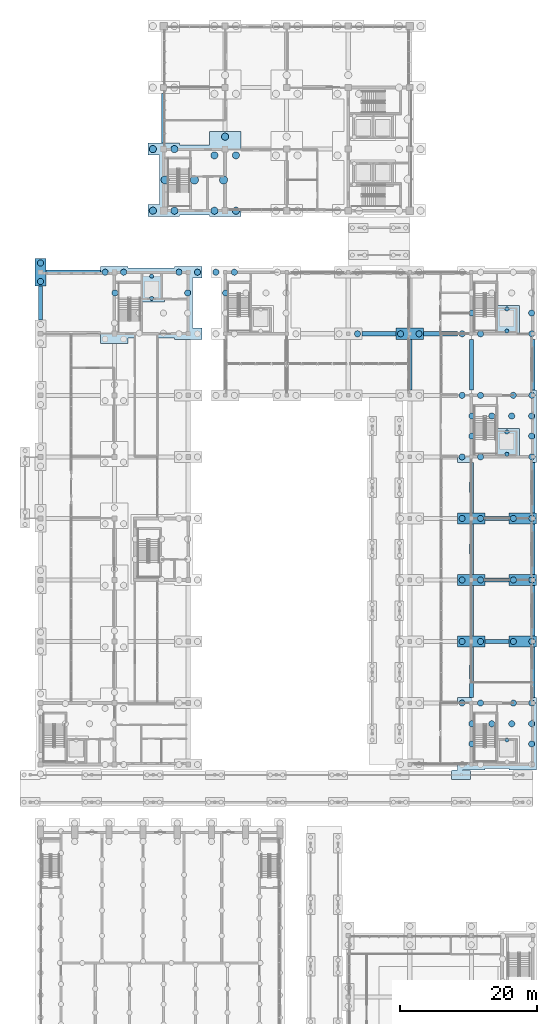
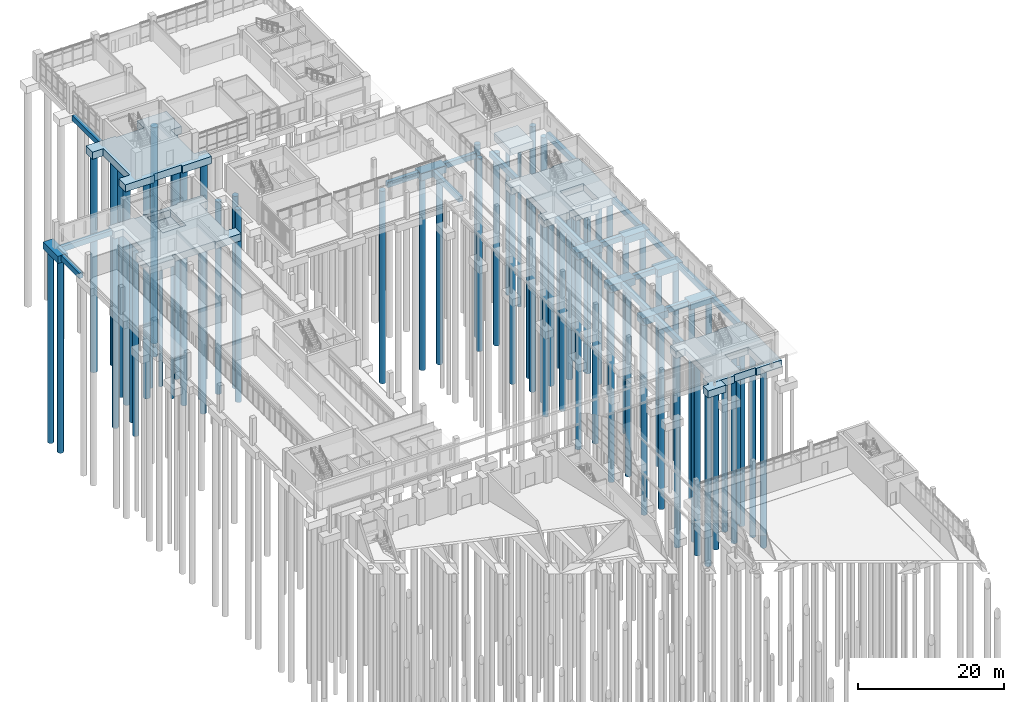
# One storey, part 6 of 106: 73 piles, 34 footings.
"""IFC4 building model written with IfcOpenShell, lengths in metres."""

from ifc_helpers import new_model, si_unit, direction, frame, origin, origin_2d, place, context, subcontext, project, spatial, polyline, circle, outline, extrude, material, material_profile, profile_set, type_object, element, save


model = new_model("IFC4")

# Units and contexts
model_context = context("Model", 3, precision=1e-05, world=origin(), true_north=direction((0.0, 1.0)))
body_context = subcontext(model_context, "Body", "Model", "MODEL_VIEW")
ifc_project = project(units=[si_unit("LENGTHUNIT", "METRE"), si_unit("AREAUNIT", "SQUARE_METRE"), si_unit("VOLUMEUNIT", "CUBIC_METRE"), si_unit("PLANEANGLEUNIT", "RADIAN"), si_unit("MASSUNIT", "GRAM", prefix="KILO")], contexts=[model_context])

# Site, building, storey
site_placement = place(None, origin())
site = spatial("IfcSite", under=ifc_project, at=site_placement, CompositionType="ELEMENT")
building_placement = place(site_placement, origin())
building = spatial("IfcBuilding", under=site, at=building_placement, Name="Merrow Basin Faculty of Sciences", CompositionType="ELEMENT")
storey_placement = place(building_placement, origin())
storey = spatial("IfcBuildingStorey", under=building, at=storey_placement, Name="L00", CompositionType="ELEMENT", Elevation=0.0)

# Piles
ifc_material_1 = material(Name="Concrete C40/50", Category="concrete")
ifc_material_profile_1 = material_profile(ifc_material_1, circle(Radius=0.52490234375, at=origin_2d()))
ifc_profile_set_1 = profile_set([ifc_material_profile_1], Name="Concrete C40/50")
pile_type_1 = type_object("IfcPileType", Name="Bored pile 1050 Concrete C40/50", PredefinedType="BORED", material=ifc_profile_set_1)
for number, where, z_axis, x_axis, name in (
    (1, (16.425048828125, 142.0, -1.39990234375), (0.0, 0.0, -1.0), (1.0, 0.0, 0.0), "BP 143"),
    (2, (16.425048828125, 151.0, -1.39990234375), (0.0, 0.0, -1.0), (1.0, 0.0, 0.0), "BP 144"),
    (3, (19.574951171875, 142.0, -1.39990234375), (0.0, 0.0, -1.0), (1.0, 0.0, 0.0), "BP 164"),
    (4, (19.574951171875, 151.0, -1.39990234375), (0.0, 0.0, -1.0), (1.0, 0.0, 0.0), "BP 165"),
    (5, (25.425048828125, 142.0, -1.39990234375), (0.0, 0.0, -1.0), (1.0, 0.0, 0.0), "BP 215"),
    (6, (25.425048828125, 150.091064453125, -1.39990234375), (0.0, 0.0, -1.0), (1.0, 0.0, 0.0), "BP 216"),
    (7, (27.0, 152.819091796875, -1.39990234375), (0.0, 0.0, -1.0), (1.0, 0.0, 0.0), "BP 229"),
    (8, (28.574951171875, 142.0, -1.39990234375), (0.0, 0.0, -1.0), (1.0, 0.0, 0.0), "BP 245"),
    (9, (28.574951171875, 150.091064453125, -1.39990234375), (0.0, 0.0, -1.0), (1.0, 0.0, 0.0), "BP 246"),
):
    element("IfcPile", number, at=place(storey_placement, frame(where, z_axis=z_axis, x_axis=x_axis)), inside=storey, type_object=pile_type_1, Name=name, PredefinedType="BORED", context=body_context, shape_type="SweptSolid", body=[
        extrude(circle(Radius=0.52490234375, at=origin_2d()), origin(), (0.0, 0.0, 1.0), 36.10009765625),
    ])
ifc_material_2 = material(Name="Concrete C40/50", Category="concrete")
ifc_material_profile_2 = material_profile(ifc_material_2, circle(Radius=0.60009765625, at=origin_2d()))
ifc_profile_set_2 = profile_set([ifc_material_profile_2], Name="Concrete C40/50")
pile_type_2 = type_object("IfcPileType", Name="Bored pile 1200 Concrete C40/50", PredefinedType="BORED", material=ifc_profile_set_2)
for number, where, z_axis, x_axis, name in (
    (10, (18.22998046875, 146.5, -1.39990234375), (0.0, 0.0, -1.0), (1.0, 0.0, 0.0), "BP 162"),
    (11, (22.5, 146.5, -1.39990234375), (0.0, 0.0, -1.0), (1.0, 0.0, 0.0), "BP 191"),
    (12, (26.77001953125, 146.5, -1.39990234375), (0.0, 0.0, -1.0), (1.0, 0.0, 0.0), "BP 228"),
):
    element("IfcPile", number, at=place(storey_placement, frame(where, z_axis=z_axis, x_axis=x_axis)), inside=storey, type_object=pile_type_2, Name=name, PredefinedType="BORED", context=body_context, shape_type="SweptSolid", body=[
        extrude(circle(Radius=0.60009765625, at=origin_2d()), origin(), (0.0, 0.0, 1.0), 38.10009765625),
    ])
ifc_material_3 = material(Name="Concrete C40/50", Category="concrete")
ifc_material_profile_3 = material_profile(ifc_material_3, circle(Radius=0.300048828125, at=origin_2d()))
ifc_profile_set_3 = profile_set([ifc_material_profile_3], Name="Concrete C40/50")
pile_type_3 = type_object("IfcPileType", Name="Bored pile 600 Concrete C40/50", PredefinedType="BORED", material=ifc_profile_set_3)
for number, where, z_axis, x_axis, name in (
    (13, (16.25, 129.179931640625, -2.60009765625), (0.0, 0.0, -1.0), (1.0, 0.0, 0.0), "BP pit 520"),
    (14, (16.25, 132.419921875, -2.60009765625), (0.0, 0.0, -1.0), (1.0, 0.0, 0.0), "BP pit 521"),
    (15, (68.199951171875, 64.6201171875, -2.60009765625), (0.0, 0.0, -1.0), (1.0, 0.0, 0.0), "BP pit 533"),
    (16, (68.199951171875, 106.3798828125, -2.60009765625), (0.0, 0.0, -1.0), (1.0, 0.0, 0.0), "BP pit 534"),
    (17, (68.199951171875, 109.6201171875, -2.60009765625), (0.0, 0.0, -1.0), (1.0, 0.0, 0.0), "BP pit 535"),
    (18, (68.199951171875, 124.3798828125, -2.60009765625), (0.0, 0.0, -1.0), (1.0, 0.0, 0.0), "BP pit 536"),
    (19, (68.199951171875, 127.6201171875, -2.60009765625), (0.0, 0.0, -1.0), (1.0, 0.0, 0.0), "BP pit 537"),
):
    element("IfcPile", number, at=place(storey_placement, frame(where, z_axis=z_axis, x_axis=x_axis)), inside=storey, type_object=pile_type_3, Name=name, PredefinedType="BORED", context=body_context, shape_type="SweptSolid", body=[
        extrude(circle(Radius=0.300048828125, at=origin_2d()), origin(), (0.0, 0.0, 1.0), 26.10009765625),
    ])
ifc_material_4 = material(Name="Concrete C40/50", Category="concrete")
ifc_material_profile_4 = material_profile(ifc_material_4, circle(Radius=0.449951171875, at=origin_2d()))
ifc_profile_set_4 = profile_set([ifc_material_profile_4], Name="Concrete C40/50")
pile_type_4 = type_object("IfcPileType", Name="Bored pile 900 Concrete C40/50", PredefinedType="BORED", material=ifc_profile_set_4)
for number, where, z_axis, x_axis, name in (
    (20, (0.0, 131.64990234375, -1.39990234375), (0.0, 0.0, -1.0), (1.0, 0.0, 0.0), "BP 039"),
    (21, (0.0, 134.35009765625, -1.39990234375), (0.0, 0.0, -1.0), (1.0, 0.0, 0.0), "BP 040"),
    (22, (9.449951171875, 133.0, -1.39990234375), (0.0, 0.0, -1.0), (1.0, 0.0, 0.0), "BP 092"),
    (23, (10.8798828125, 129.972900390625, -1.39990234375), (0.0, 0.0, -1.0), (1.0, 0.0, 0.0), "BP 109"),
    (24, (12.14990234375, 133.0, -1.39990234375), (0.0, 0.0, -1.0), (1.0, 0.0, 0.0), "BP 118"),
    (25, (20.25, 133.0, -1.39990234375), (0.0, 0.0, -1.0), (1.0, 0.0, 0.0), "BP 182"),
    (26, (21.52001953125, 129.972900390625, -1.39990234375), (0.0, 0.0, -1.0), (1.0, 0.0, 0.0), "BP 190"),
    (27, (22.949951171875, 133.0, -1.39990234375), (0.0, 0.0, -1.0), (1.0, 0.0, 0.0), "BP 207"),
    (28, (25.64990234375, 133.0, -1.39990234375), (0.0, 0.0, -1.0), (1.0, 0.0, 0.0), "BP 221"),
    (29, (27.080078125, 129.972900390625, -1.39990234375), (0.0, 0.0, -1.0), (1.0, 0.0, 0.0), "BP 232"),
    (30, (28.35009765625, 133.0, -1.39990234375), (0.0, 0.0, -1.0), (1.0, 0.0, 0.0), "BP 244"),
    (31, (46.35009765625, 124.0, -1.39990234375), (0.0, 0.0, -1.0), (1.0, 0.0, 0.0), "BP 356"),
    (32, (52.64990234375, 124.0, -1.39990234375), (0.0, 0.0, -1.0), (1.0, 0.0, 0.0), "BP 406"),
    (33, (55.35009765625, 124.0, -1.39990234375), (0.0, 0.0, -1.0), (1.0, 0.0, 0.0), "BP 430"),
    (34, (61.64990234375, 70.0, -1.39990234375), (0.0, 0.0, -1.0), (1.0, 0.0, 0.0), "BP 438"),
    (35, (61.64990234375, 79.0, -1.39990234375), (0.0, 0.0, -1.0), (1.0, 0.0, 0.0), "BP 439"),
    (36, (61.64990234375, 88.0, -1.39990234375), (0.0, 0.0, -1.0), (1.0, 0.0, 0.0), "BP 440"),
    (37, (61.64990234375, 97.0, -1.39990234375), (0.0, 0.0, -1.0), (1.0, 0.0, 0.0), "BP 441"),
    (38, (61.64990234375, 106.0, -1.39990234375), (0.0, 0.0, -1.0), (1.0, 0.0, 0.0), "BP 442"),
    (39, (61.64990234375, 115.0, -1.39990234375), (0.0, 0.0, -1.0), (1.0, 0.0, 0.0), "BP 443"),
    (40, (61.64990234375, 124.0, -1.39990234375), (0.0, 0.0, -1.0), (1.0, 0.0, 0.0), "BP 444"),
    (41, (63.080078125, 64.027099609375, -1.39990234375), (0.0, 0.0, -1.0), (1.0, 0.0, 0.0), "BP 454"),
    (42, (63.080078125, 66.972900390625, -1.39990234375), (0.0, 0.0, -1.0), (1.0, 0.0, 0.0), "BP 455"),
    (43, (63.080078125, 109.027099609375, -1.39990234375), (0.0, 0.0, -1.0), (1.0, 0.0, 0.0), "BP 456"),
    (44, (63.080078125, 111.972900390625, -1.39990234375), (0.0, 0.0, -1.0), (1.0, 0.0, 0.0), "BP 457"),
    (45, (63.080078125, 127.027099609375, -1.39990234375), (0.0, 0.0, -1.0), (1.0, 0.0, 0.0), "BP 458"),
    (46, (64.35009765625, 70.0, -1.39990234375), (0.0, 0.0, -1.0), (1.0, 0.0, 0.0), "BP 464"),
    (47, (64.35009765625, 79.0, -1.39990234375), (0.0, 0.0, -1.0), (1.0, 0.0, 0.0), "BP 465"),
    (48, (64.35009765625, 88.0, -1.39990234375), (0.0, 0.0, -1.0), (1.0, 0.0, 0.0), "BP 466"),
    (49, (64.35009765625, 97.0, -1.39990234375), (0.0, 0.0, -1.0), (1.0, 0.0, 0.0), "BP 467"),
    (50, (64.35009765625, 106.0, -1.39990234375), (0.0, 0.0, -1.0), (1.0, 0.0, 0.0), "BP 468"),
    (51, (64.35009765625, 115.0, -1.39990234375), (0.0, 0.0, -1.0), (1.0, 0.0, 0.0), "BP 469"),
    (52, (64.35009765625, 124.0, -1.39990234375), (0.0, 0.0, -1.0), (1.0, 0.0, 0.0), "BP 470"),
    (53, (65.992919921875, 66.972900390625, -1.39990234375), (0.0, 0.0, -1.0), (1.0, 0.0, 0.0), "BP 472"),
    (54, (65.992919921875, 111.972900390625, -1.39990234375), (0.0, 0.0, -1.0), (1.0, 0.0, 0.0), "BP 473"),
    (55, (68.906982421875, 66.972900390625, -1.39990234375), (0.0, 0.0, -1.0), (1.0, 0.0, 0.0), "BP 480"),
    (56, (68.906982421875, 111.972900390625, -1.39990234375), (0.0, 0.0, -1.0), (1.0, 0.0, 0.0), "BP 481"),
    (57, (69.139892578125, 70.0, -1.39990234375), (0.0, 0.0, -1.0), (1.0, 0.0, 0.0), "BP 483"),
    (58, (69.139892578125, 79.0, -1.39990234375), (0.0, 0.0, -1.0), (1.0, 0.0, 0.0), "BP 484"),
    (59, (69.139892578125, 88.0, -1.39990234375), (0.0, 0.0, -1.0), (1.0, 0.0, 0.0), "BP 485"),
    (60, (69.139892578125, 97.0, -1.39990234375), (0.0, 0.0, -1.0), (1.0, 0.0, 0.0), "BP 486"),
    (61, (69.139892578125, 115.0, -1.39990234375), (0.0, 0.0, -1.0), (1.0, 0.0, 0.0), "BP 487"),
    (62, (71.820068359375, 64.027099609375, -1.39990234375), (0.0, 0.0, -1.0), (1.0, 0.0, 0.0), "BP 492"),
    (63, (71.820068359375, 66.972900390625, -1.39990234375), (0.0, 0.0, -1.0), (1.0, 0.0, 0.0), "BP 493"),
    (64, (71.820068359375, 109.027099609375, -1.39990234375), (0.0, 0.0, -1.0), (1.0, 0.0, 0.0), "BP 494"),
    (65, (71.820068359375, 111.972900390625, -1.39990234375), (0.0, 0.0, -1.0), (1.0, 0.0, 0.0), "BP 495"),
    (66, (71.820068359375, 127.027099609375, -1.39990234375), (0.0, 0.0, -1.0), (1.0, 0.0, 0.0), "BP 496"),
    (67, (71.840087890625, 70.0, -1.39990234375), (0.0, 0.0, -1.0), (1.0, 0.0, 0.0), "BP 508"),
    (68, (71.840087890625, 79.0, -1.39990234375), (0.0, 0.0, -1.0), (1.0, 0.0, 0.0), "BP 509"),
    (69, (71.840087890625, 88.0, -1.39990234375), (0.0, 0.0, -1.0), (1.0, 0.0, 0.0), "BP 510"),
    (70, (71.840087890625, 97.0, -1.39990234375), (0.0, 0.0, -1.0), (1.0, 0.0, 0.0), "BP 511"),
    (71, (71.840087890625, 106.0, -1.39990234375), (0.0, 0.0, -1.0), (1.0, 0.0, 0.0), "BP 512"),
    (72, (71.840087890625, 115.0, -1.39990234375), (0.0, 0.0, -1.0), (1.0, 0.0, 0.0), "BP 513"),
    (73, (71.840087890625, 124.0, -1.39990234375), (0.0, 0.0, -1.0), (1.0, 0.0, 0.0), "BP 514"),
):
    element("IfcPile", number, at=place(storey_placement, frame(where, z_axis=z_axis, x_axis=x_axis)), inside=storey, type_object=pile_type_4, Name=name, PredefinedType="BORED", context=body_context, shape_type="SweptSolid", body=[
        extrude(circle(Radius=0.449951171875, at=origin_2d()), origin(), (0.0, 0.0, 1.0), 32.10009765625),
    ])

# Footings
ifc_material_5 = material(Name="Concrete C40/50", Category="concrete")
footing_type_1 = type_object("IfcFootingType", Name="Ground beam 600x900 Concrete C40/50", PredefinedType="FOOTING_BEAM", material=ifc_material_5)
footing_1_placement = place(storey_placement, frame((0.0, 0.0, -1.199951171875)))
element("IfcFooting", 74, at=footing_1_placement, inside=storey, type_object=footing_type_1, Name="GB 012", PredefinedType="FOOTING_BEAM", context=body_context, shape_type="SweptSolid", body=[
    extrude(outline(polyline([(0.81005859375, 132.699951171875), (8.7900390625, 132.699951171875), (8.7900390625, 133.300048828125), (0.81005859375, 133.300048828125), (0.81005859375, 132.699951171875)])), origin(), (0.0, 0.0, 1.0), 0.89990234375),
])
footing_2_placement = place(storey_placement, frame((0.0, 0.0, -1.199951171875)))
element("IfcFooting", 75, at=footing_2_placement, inside=storey, type_object=footing_type_1, Name="GB 019", PredefinedType="FOOTING_BEAM", context=body_context, shape_type="SweptSolid", body=[
    extrude(outline(polyline([(-0.300048828125, 126.010009765625), (0.300048828125, 126.010009765625), (0.300048828125, 130.989990234375), (-0.300048828125, 130.989990234375), (-0.300048828125, 126.010009765625)])), origin(), (0.0, 0.0, 1.0), 0.89990234375),
])
footing_3_placement = place(storey_placement, frame((0.0, 0.0, -1.199951171875)))
element("IfcFooting", 76, at=footing_3_placement, inside=storey, type_object=footing_type_1, Name="GB 035", PredefinedType="FOOTING_BEAM", context=body_context, shape_type="SweptSolid", body=[
    extrude(outline(polyline([(65.010009765625, 78.699951171875), (68.47998046875, 78.699951171875), (68.47998046875, 79.300048828125), (65.010009765625, 79.300048828125), (65.010009765625, 78.699951171875)])), origin(), (0.0, 0.0, 1.0), 0.89990234375),
])
footing_4_placement = place(storey_placement, frame((0.0, 0.0, -1.199951171875)))
element("IfcFooting", 77, at=footing_4_placement, inside=storey, type_object=footing_type_1, Name="GB 037", PredefinedType="FOOTING_BEAM", context=body_context, shape_type="SweptSolid", body=[
    extrude(outline(polyline([(65.010009765625, 87.699951171875), (68.47998046875, 87.699951171875), (68.47998046875, 88.300048828125), (65.010009765625, 88.300048828125), (65.010009765625, 87.699951171875)])), origin(), (0.0, 0.0, 1.0), 0.89990234375),
])
footing_5_placement = place(storey_placement, frame((0.0, 0.0, -1.199951171875)))
element("IfcFooting", 78, at=footing_5_placement, inside=storey, type_object=footing_type_1, Name="GB 039", PredefinedType="FOOTING_BEAM", context=body_context, shape_type="SweptSolid", body=[
    extrude(outline(polyline([(65.010009765625, 96.699951171875), (68.47998046875, 96.699951171875), (68.47998046875, 97.300048828125), (65.010009765625, 97.300048828125), (65.010009765625, 96.699951171875)])), origin(), (0.0, 0.0, 1.0), 0.89990234375),
])
footing_6_placement = place(storey_placement, frame((0.0, 0.0, -1.199951171875)))
element("IfcFooting", 79, at=footing_6_placement, inside=storey, type_object=footing_type_1, Name="GB 046", PredefinedType="FOOTING_BEAM", context=body_context, shape_type="SweptSolid", body=[
    extrude(outline(polyline([(47.010009765625, 123.699951171875), (51.989990234375, 123.699951171875), (51.989990234375, 124.300048828125), (47.010009765625, 124.300048828125), (47.010009765625, 123.699951171875)])), origin(), (0.0, 0.0, 1.0), 0.89990234375),
])
footing_7_placement = place(storey_placement, frame((0.0, 0.0, -1.199951171875)))
element("IfcFooting", 80, at=footing_7_placement, inside=storey, type_object=footing_type_1, Name="GB 047", PredefinedType="FOOTING_BEAM", context=body_context, shape_type="SweptSolid", body=[
    extrude(outline(polyline([(56.010009765625, 123.699951171875), (60.989990234375, 123.699951171875), (60.989990234375, 124.300048828125), (56.010009765625, 124.300048828125), (56.010009765625, 123.699951171875)])), origin(), (0.0, 0.0, 1.0), 0.89990234375),
])
footing_8_placement = place(storey_placement, frame((0.0, 0.0, -1.199951171875)))
element("IfcFooting", 81, at=footing_8_placement, inside=storey, type_object=footing_type_1, Name="GB 061", PredefinedType="FOOTING_BEAM", context=body_context, shape_type="SweptSolid", body=[
    extrude(outline(polyline([(53.699951171875, 115.81005859375), (54.300048828125, 115.81005859375), (54.300048828125, 123.18994140625), (53.699951171875, 123.18994140625), (53.699951171875, 115.81005859375)])), origin(), (0.0, 0.0, 1.0), 0.89990234375),
])
footing_9_placement = place(storey_placement, frame((0.0, 0.0, -1.199951171875)))
element("IfcFooting", 82, at=footing_9_placement, inside=storey, type_object=footing_type_1, Name="GB 063", PredefinedType="FOOTING_BEAM", context=body_context, shape_type="SweptSolid", body=[
    extrude(outline(polyline([(62.699951171875, 70.81005859375), (63.300048828125, 70.81005859375), (63.300048828125, 78.18994140625), (62.699951171875, 78.18994140625), (62.699951171875, 70.81005859375)])), origin(), (0.0, 0.0, 1.0), 0.89990234375),
])
footing_10_placement = place(storey_placement, frame((0.0, 0.0, -1.199951171875)))
element("IfcFooting", 83, at=footing_10_placement, inside=storey, type_object=footing_type_1, Name="GB 064", PredefinedType="FOOTING_BEAM", context=body_context, shape_type="SweptSolid", body=[
    extrude(outline(polyline([(62.699951171875, 79.81005859375), (63.300048828125, 79.81005859375), (63.300048828125, 87.18994140625), (62.699951171875, 87.18994140625), (62.699951171875, 79.81005859375)])), origin(), (0.0, 0.0, 1.0), 0.89990234375),
])
footing_11_placement = place(storey_placement, frame((0.0, 0.0, -1.199951171875)))
element("IfcFooting", 84, at=footing_11_placement, inside=storey, type_object=footing_type_1, Name="GB 065", PredefinedType="FOOTING_BEAM", context=body_context, shape_type="SweptSolid", body=[
    extrude(outline(polyline([(62.699951171875, 88.81005859375), (63.300048828125, 88.81005859375), (63.300048828125, 96.18994140625), (62.699951171875, 96.18994140625), (62.699951171875, 88.81005859375)])), origin(), (0.0, 0.0, 1.0), 0.89990234375),
])
footing_12_placement = place(storey_placement, frame((0.0, 0.0, -1.199951171875)))
element("IfcFooting", 85, at=footing_12_placement, inside=storey, type_object=footing_type_1, Name="GB 066", PredefinedType="FOOTING_BEAM", context=body_context, shape_type="SweptSolid", body=[
    extrude(outline(polyline([(62.699951171875, 97.81005859375), (63.300048828125, 97.81005859375), (63.300048828125, 105.18994140625), (62.699951171875, 105.18994140625), (62.699951171875, 97.81005859375)])), origin(), (0.0, 0.0, 1.0), 0.89990234375),
])
footing_13_placement = place(storey_placement, frame((0.0, 0.0, -1.199951171875)))
element("IfcFooting", 86, at=footing_13_placement, inside=storey, type_object=footing_type_1, Name="GB 067", PredefinedType="FOOTING_BEAM", context=body_context, shape_type="SweptSolid", body=[
    extrude(outline(polyline([(62.699951171875, 115.81005859375), (63.300048828125, 115.81005859375), (63.300048828125, 123.18994140625), (62.699951171875, 123.18994140625), (62.699951171875, 115.81005859375)])), origin(), (0.0, 0.0, 1.0), 0.89990234375),
])
footing_14_placement = place(storey_placement, frame((0.0, 0.0, -1.199951171875)))
element("IfcFooting", 87, at=footing_14_placement, inside=storey, type_object=footing_type_1, Name="GB 068", PredefinedType="FOOTING_BEAM", context=body_context, shape_type="SweptSolid", body=[
    extrude(outline(polyline([(71.699951171875, 70.81005859375), (72.300048828125, 70.81005859375), (72.300048828125, 78.18994140625), (71.699951171875, 78.18994140625), (71.699951171875, 70.81005859375)])), origin(), (0.0, 0.0, 1.0), 0.89990234375),
])
footing_15_placement = place(storey_placement, frame((0.0, 0.0, -1.199951171875)))
element("IfcFooting", 88, at=footing_15_placement, inside=storey, type_object=footing_type_1, Name="GB 069", PredefinedType="FOOTING_BEAM", context=body_context, shape_type="SweptSolid", body=[
    extrude(outline(polyline([(71.699951171875, 79.81005859375), (72.300048828125, 79.81005859375), (72.300048828125, 87.18994140625), (71.699951171875, 87.18994140625), (71.699951171875, 79.81005859375)])), origin(), (0.0, 0.0, 1.0), 0.89990234375),
])
footing_16_placement = place(storey_placement, frame((0.0, 0.0, -1.199951171875)))
element("IfcFooting", 89, at=footing_16_placement, inside=storey, type_object=footing_type_1, Name="GB 070", PredefinedType="FOOTING_BEAM", context=body_context, shape_type="SweptSolid", body=[
    extrude(outline(polyline([(71.699951171875, 88.81005859375), (72.300048828125, 88.81005859375), (72.300048828125, 96.18994140625), (71.699951171875, 96.18994140625), (71.699951171875, 88.81005859375)])), origin(), (0.0, 0.0, 1.0), 0.89990234375),
])
footing_17_placement = place(storey_placement, frame((0.0, 0.0, -1.199951171875)))
element("IfcFooting", 90, at=footing_17_placement, inside=storey, type_object=footing_type_1, Name="GB 071", PredefinedType="FOOTING_BEAM", context=body_context, shape_type="SweptSolid", body=[
    extrude(outline(polyline([(71.699951171875, 97.81005859375), (72.300048828125, 97.81005859375), (72.300048828125, 105.18994140625), (71.699951171875, 105.18994140625), (71.699951171875, 97.81005859375)])), origin(), (0.0, 0.0, 1.0), 0.89990234375),
])
footing_18_placement = place(storey_placement, frame((0.0, 0.0, -1.199951171875)))
element("IfcFooting", 91, at=footing_18_placement, inside=storey, type_object=footing_type_1, Name="GB 072", PredefinedType="FOOTING_BEAM", context=body_context, shape_type="SweptSolid", body=[
    extrude(outline(polyline([(71.699951171875, 115.81005859375), (72.300048828125, 115.81005859375), (72.300048828125, 123.18994140625), (71.699951171875, 123.18994140625), (71.699951171875, 115.81005859375)])), origin(), (0.0, 0.0, 1.0), 0.89990234375),
])
footing_19_placement = place(storey_placement, frame((0.0, 0.0, -1.199951171875)))
element("IfcFooting", 92, at=footing_19_placement, inside=storey, type_object=footing_type_1, Name="GB 113", PredefinedType="FOOTING_BEAM", context=body_context, shape_type="SweptSolid", body=[
    extrude(outline(polyline([(17.699951171875, 151.885009765625), (18.300048828125, 151.885009765625), (18.300048828125, 159.114990234375), (17.699951171875, 159.114990234375), (17.699951171875, 151.885009765625)])), origin(), (0.0, 0.0, 1.0), 0.89990234375),
])
ifc_material_6 = material(Name="Concrete C40/50", Category="concrete")
footing_type_2 = type_object("IfcFootingType", Name="Lift pit raft 3700x4300 Concrete C40/50", PredefinedType="PILE_CAP", material=ifc_material_6)
footing_20_placement = place(storey_placement, frame((0.0, 0.0, -2.699951171875)))
element("IfcFooting", 93, at=footing_20_placement, inside=storey, type_object=footing_type_2, Name="Lift pit raft 3", PredefinedType="PILE_CAP", context=body_context, shape_type="SweptSolid", body=[
    extrude(outline(polyline([(18.10009765625, 128.64990234375), (14.39990234375, 128.64990234375), (14.39990234375, 132.949951171875), (18.10009765625, 132.949951171875), (18.10009765625, 128.64990234375)])), origin(), (0.0, 0.0, 1.0), 1.199951171875),
])
footing_21_placement = place(storey_placement, frame((0.0, 0.0, -2.699951171875)))
element("IfcFooting", 94, at=footing_21_placement, inside=storey, type_object=footing_type_2, Name="Lift pit raft 10", PredefinedType="PILE_CAP", context=body_context, shape_type="SweptSolid", body=[
    extrude(outline(polyline([(70.050048828125, 105.85009765625), (66.35009765625, 105.85009765625), (66.35009765625, 110.14990234375), (70.050048828125, 110.14990234375), (70.050048828125, 105.85009765625)])), origin(), (0.0, 0.0, 1.0), 1.199951171875),
])
footing_22_placement = place(storey_placement, frame((0.0, 0.0, -2.699951171875)))
element("IfcFooting", 95, at=footing_22_placement, inside=storey, type_object=footing_type_2, Name="Lift pit raft 11", PredefinedType="PILE_CAP", context=body_context, shape_type="SweptSolid", body=[
    extrude(outline(polyline([(70.050048828125, 123.85009765625), (66.35009765625, 123.85009765625), (66.35009765625, 128.14990234375), (70.050048828125, 128.14990234375), (70.050048828125, 123.85009765625)])), origin(), (0.0, 0.0, 1.0), 1.199951171875),
])
ifc_material_7 = material(Name="Concrete C40/50", Category="concrete")
footing_type_3 = type_object("IfcFootingType", Name="Pile cap 2 piles 1620x4020 Concrete C40/50", PredefinedType="PILE_CAP", material=ifc_material_7)
footing_23_placement = place(storey_placement, frame((0.0, 0.0, -1.5)))
element("IfcFooting", 96, at=footing_23_placement, inside=storey, type_object=footing_type_3, Name="PC4 013", PredefinedType="PILE_CAP", context=body_context, shape_type="SweptSolid", body=[
    extrude(outline(polyline([(-0.81005859375, 135.010009765625), (0.81005859375, 135.010009765625), (0.81005859375, 130.989990234375), (-0.81005859375, 130.989990234375), (-0.81005859375, 135.010009765625)])), origin(), (0.0, 0.0, 1.0), 1.199951171875),
])
ifc_material_8 = material(Name="Concrete C40/50", Category="concrete")
footing_type_4 = type_object("IfcFootingType", Name="Pile cap 2 piles 4020x1620 Concrete C40/50", PredefinedType="PILE_CAP", material=ifc_material_8)
footing_24_placement = place(storey_placement, frame((0.0, 0.0, -1.5)))
element("IfcFooting", 97, at=footing_24_placement, inside=storey, type_object=footing_type_4, Name="PC13 105", PredefinedType="PILE_CAP", context=body_context, shape_type="SweptSolid", body=[
    extrude(outline(polyline([(51.989990234375, 124.81005859375), (56.010009765625, 124.81005859375), (56.010009765625, 123.18994140625), (51.989990234375, 123.18994140625), (51.989990234375, 124.81005859375)])), origin(), (0.0, 0.0, 1.0), 1.199951171875),
])
footing_25_placement = place(storey_placement, frame((0.0, 0.0, -1.5)))
element("IfcFooting", 98, at=footing_25_placement, inside=storey, type_object=footing_type_4, Name="PC13 114", PredefinedType="PILE_CAP", context=body_context, shape_type="SweptSolid", body=[
    extrude(outline(polyline([(60.989990234375, 79.81005859375), (65.010009765625, 79.81005859375), (65.010009765625, 78.18994140625), (60.989990234375, 78.18994140625), (60.989990234375, 79.81005859375)])), origin(), (0.0, 0.0, 1.0), 1.199951171875),
])
footing_26_placement = place(storey_placement, frame((0.0, 0.0, -1.5)))
element("IfcFooting", 99, at=footing_26_placement, inside=storey, type_object=footing_type_4, Name="PC13 115", PredefinedType="PILE_CAP", context=body_context, shape_type="SweptSolid", body=[
    extrude(outline(polyline([(60.989990234375, 88.81005859375), (65.010009765625, 88.81005859375), (65.010009765625, 87.18994140625), (60.989990234375, 87.18994140625), (60.989990234375, 88.81005859375)])), origin(), (0.0, 0.0, 1.0), 1.199951171875),
])
footing_27_placement = place(storey_placement, frame((0.0, 0.0, -1.5)))
element("IfcFooting", 100, at=footing_27_placement, inside=storey, type_object=footing_type_4, Name="PC13 116", PredefinedType="PILE_CAP", context=body_context, shape_type="SweptSolid", body=[
    extrude(outline(polyline([(60.989990234375, 96.18994140625), (60.989990234375, 97.81005859375), (65.010009765625, 97.81005859375), (65.010009765625, 96.18994140625), (60.989990234375, 96.18994140625)])), origin(), (0.0, 0.0, 1.0), 1.199951171875),
])
footing_28_placement = place(storey_placement, frame((0.0, 0.0, -1.5)))
element("IfcFooting", 101, at=footing_28_placement, inside=storey, type_object=footing_type_4, Name="PC13 125", PredefinedType="PILE_CAP", context=body_context, shape_type="SweptSolid", body=[
    extrude(outline(polyline([(68.47998046875, 79.81005859375), (72.5, 79.81005859375), (72.5, 78.18994140625), (68.47998046875, 78.18994140625), (68.47998046875, 79.81005859375)])), origin(), (0.0, 0.0, 1.0), 1.199951171875),
])
footing_29_placement = place(storey_placement, frame((0.0, 0.0, -1.5)))
element("IfcFooting", 102, at=footing_29_placement, inside=storey, type_object=footing_type_4, Name="PC13 126", PredefinedType="PILE_CAP", context=body_context, shape_type="SweptSolid", body=[
    extrude(outline(polyline([(68.47998046875, 88.81005859375), (72.5, 88.81005859375), (72.5, 87.18994140625), (68.47998046875, 87.18994140625), (68.47998046875, 88.81005859375)])), origin(), (0.0, 0.0, 1.0), 1.199951171875),
])
footing_30_placement = place(storey_placement, frame((0.0, 0.0, -1.5)))
element("IfcFooting", 103, at=footing_30_placement, inside=storey, type_object=footing_type_4, Name="PC13 127", PredefinedType="PILE_CAP", context=body_context, shape_type="SweptSolid", body=[
    extrude(outline(polyline([(68.47998046875, 97.81005859375), (72.5, 97.81005859375), (72.5, 96.18994140625), (68.47998046875, 96.18994140625), (68.47998046875, 97.81005859375)])), origin(), (0.0, 0.0, 1.0), 1.199951171875),
])
ifc_material_9 = material(Name="Concrete C40/50", Category="concrete")
footing_type_5 = type_object("IfcFootingType", Name="Pile raft 113 Concrete C40/50", PredefinedType="PILE_CAP", material=ifc_material_9)
footing_31_placement = place(storey_placement, frame((0.0, 0.0, -1.5)))
element("IfcFooting", 104, at=footing_31_placement, inside=storey, type_object=footing_type_5, Name="PC20 113", PredefinedType="PILE_CAP", context=body_context, shape_type="SweptSolid", body=[
    extrude(outline(polyline([(60.239990234375, 60.159912109375), (60.239990234375, 60.18994140625), (60.989990234375, 60.18994140625), (60.989990234375, 61.81005859375), (62.39990234375, 61.81005859375), (62.39990234375, 69.18994140625), (60.989990234375, 69.18994140625), (60.989990234375, 70.81005859375), (65.010009765625, 70.81005859375), (65.010009765625, 70.60009765625), (68.47998046875, 70.60009765625), (68.47998046875, 70.81005859375), (72.5, 70.81005859375), (72.5, 70.60009765625), (72.5, 69.18994140625), (72.5, 61.81005859375), (72.5, 60.39990234375), (72.5, 60.18994140625), (68.47998046875, 60.18994140625), (68.47998046875, 60.39990234375), (65.010009765625, 60.39990234375), (65.010009765625, 60.18994140625), (61.739990234375, 60.18994140625), (61.739990234375, 60.159912109375), (62.909912109375, 60.159912109375), (62.909912109375, 58.840087890625), (60.090087890625, 58.840087890625), (60.090087890625, 60.159912109375), (60.239990234375, 60.159912109375)]), holes=[polyline([(66.35009765625, 60.85009765625), (68.47998046875, 60.85009765625), (70.050048828125, 60.85009765625), (70.050048828125, 61.81005859375), (70.050048828125, 65.14990234375), (66.35009765625, 65.14990234375), (66.35009765625, 60.85009765625)])]), origin(), (0.0, 0.0, 1.0), 1.199951171875),
])
ifc_material_10 = material(Name="Concrete C40/50", Category="concrete")
footing_type_6 = type_object("IfcFootingType", Name="Pile raft 117 Concrete C40/50", PredefinedType="PILE_CAP", material=ifc_material_10)
footing_32_placement = place(storey_placement, frame((0.0, 0.0, -1.5)))
element("IfcFooting", 105, at=footing_32_placement, inside=storey, type_object=footing_type_6, Name="PC21 117", PredefinedType="PILE_CAP", context=body_context, shape_type="SweptSolid", body=[
    extrude(outline(polyline([(60.989990234375, 115.81005859375), (65.010009765625, 115.81005859375), (65.010009765625, 115.60009765625), (68.47998046875, 115.60009765625), (68.47998046875, 115.81005859375), (72.5, 115.81005859375), (72.5, 115.60009765625), (72.5, 114.18994140625), (72.5, 106.81005859375), (72.5, 105.39990234375), (72.5, 105.18994140625), (68.47998046875, 105.18994140625), (68.47998046875, 105.39990234375), (65.010009765625, 105.39990234375), (65.010009765625, 105.18994140625), (60.989990234375, 105.18994140625), (60.989990234375, 106.81005859375), (62.39990234375, 106.81005859375), (62.39990234375, 114.18994140625), (60.989990234375, 114.18994140625), (60.989990234375, 115.81005859375)]), holes=[polyline([(70.050048828125, 110.14990234375), (66.35009765625, 110.14990234375), (66.35009765625, 105.85009765625), (68.47998046875, 105.85009765625), (70.050048828125, 105.85009765625), (70.050048828125, 106.81005859375), (70.050048828125, 110.14990234375)])]), origin(), (0.0, 0.0, 1.0), 1.199951171875),
])
ifc_material_11 = material(Name="Concrete C40/50", Category="concrete")
footing_type_7 = type_object("IfcFootingType", Name="Pile raft 22 Concrete C40/50", PredefinedType="PILE_CAP", material=ifc_material_11)
footing_33_placement = place(storey_placement, frame((0.0, 0.0, -1.5)))
element("IfcFooting", 106, at=footing_33_placement, inside=storey, type_object=footing_type_7, Name="PC8 022", PredefinedType="PILE_CAP", context=body_context, shape_type="SweptSolid", body=[
    extrude(outline(polyline([(8.7900390625, 126.21875), (10.199951171875, 126.21875), (10.199951171875, 132.18994140625), (8.7900390625, 132.18994140625), (8.7900390625, 133.81005859375), (12.81005859375, 133.81005859375), (12.81005859375, 133.60009765625), (19.590087890625, 133.60009765625), (19.590087890625, 133.81005859375), (23.610107421875, 133.81005859375), (23.610107421875, 132.18994140625), (22.199951171875, 132.18994140625), (22.199951171875, 124.81005859375), (23.610107421875, 124.81005859375), (23.610107421875, 123.18994140625), (19.590087890625, 123.18994140625), (19.590087890625, 123.39990234375), (12.81005859375, 123.39990234375), (12.81005859375, 122.560546875), (8.7900390625, 122.560546875), (8.7900390625, 126.21875)]), holes=[polyline([(14.39990234375, 128.64990234375), (18.10009765625, 128.64990234375), (18.10009765625, 132.949951171875), (14.39990234375, 132.949951171875), (14.39990234375, 128.64990234375)])]), origin(), (0.0, 0.0, 1.0), 1.199951171875),
])
ifc_material_12 = material(Name="Concrete C40/50", Category="concrete")
footing_type_8 = type_object("IfcFootingType", Name="Pile raft 30 Concrete C40/50", PredefinedType="PILE_CAP", material=ifc_material_12)
footing_34_placement = place(storey_placement, frame((0.0, 0.0, -1.5)))
element("IfcFooting", 107, at=footing_34_placement, inside=storey, type_object=footing_type_8, Name="PC11 030", PredefinedType="PILE_CAP", context=body_context, shape_type="SweptSolid", body=[
    extrude(outline(polyline([(15.68994140625, 151.885009765625), (20.31005859375, 151.885009765625), (20.31005859375, 151.60009765625), (24.68994140625, 151.60009765625), (24.68994140625, 153.5537109375), (29.31005859375, 153.5537109375), (29.31005859375, 149.355712890625), (27.60009765625, 149.355712890625), (27.60009765625, 142.885009765625), (29.31005859375, 142.885009765625), (29.31005859375, 141.114990234375), (24.68994140625, 141.114990234375), (24.68994140625, 141.39990234375), (20.31005859375, 141.39990234375), (20.31005859375, 141.114990234375), (15.68994140625, 141.114990234375), (15.68994140625, 142.885009765625), (17.39990234375, 142.885009765625), (17.39990234375, 150.114990234375), (15.68994140625, 150.114990234375), (15.68994140625, 151.885009765625)])), origin(), (0.0, 0.0, 1.0), 1.199951171875),
])

save(model, "model.ifc")
